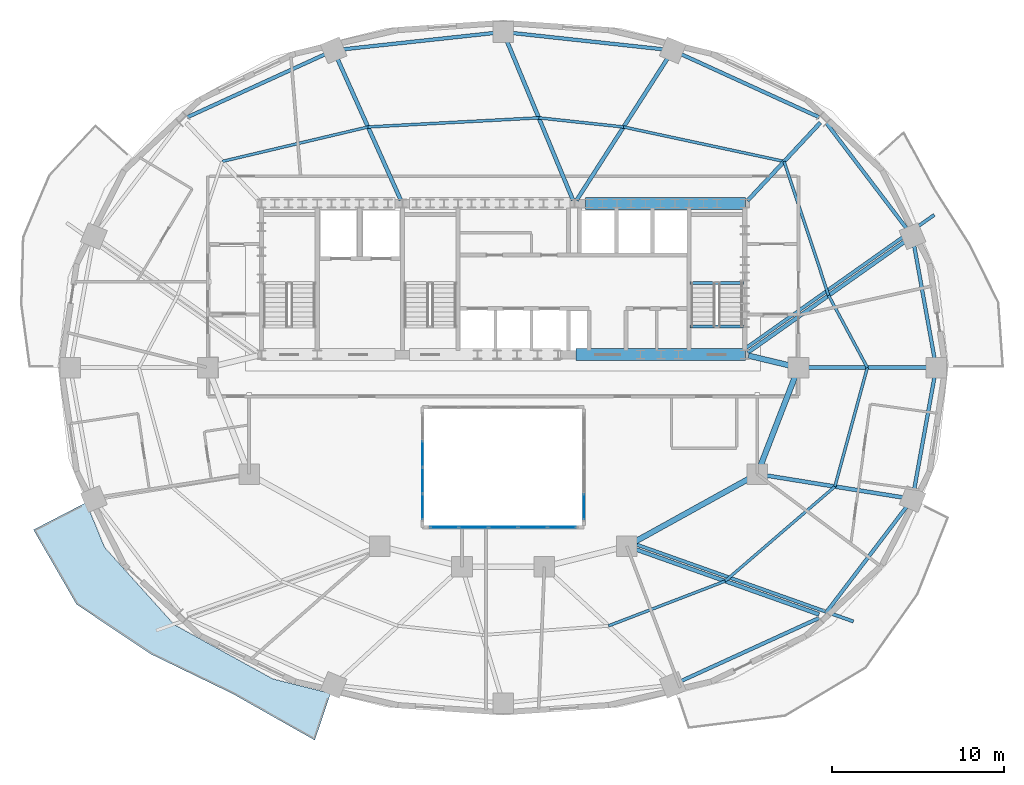
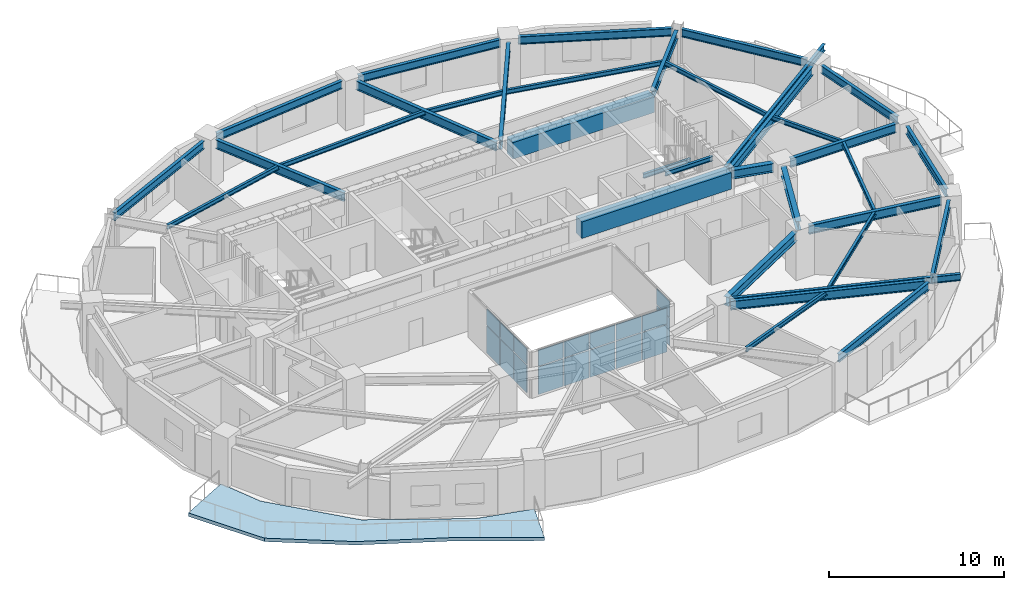
# One storey, part 4 of 12: 35 beams, 18 plates, 1 slab, 3 elements without a shape of their own.
"""IFC4 building model written with IfcOpenShell, lengths in metres."""

import ifcopenshell
import ifcopenshell.guid

model = None  # the IFC model being written
_history = None  # IfcOwnerHistory: only IFC2X3 demands one
_inside = {}  # id of a spatial element -> (the spatial element, [elements in it])
_under = {}  # id of a project, library or spatial element -> (it, [spatial elements below it])
_declared = {}  # id of a project -> (the project, [libraries it declares])
_typed = {}  # id of a type object -> (the type object, [elements of that type])
_made_of = {}  # id of a material, layer set ... -> (it, [elements and type objects made of it])


def new_model(schema):
    """Start an empty IFC model of exactly this schema.

    Asked for "IFC4X3", IfcOpenShell would pick the latest addendum, in which some entities
    have other attributes; the version numbers below select the first issue.
    IFC2X3 requires an IfcOwnerHistory on every rooted entity: one is made here for all.
    """
    global model, _history
    if schema == "IFC4X3":
        model = ifcopenshell.file(schema_version=(4, 3, 0, 0))
    else:
        model = ifcopenshell.file(schema=schema)
    _inside.clear()
    _under.clear()
    _declared.clear()
    _typed.clear()
    _made_of.clear()
    _history = None
    if model.schema == "IFC2X3":
        org = make("IfcOrganization", Name="unknown")
        user = make(
            "IfcPersonAndOrganization",
            ThePerson=make("IfcPerson", FamilyName="unknown"),
            TheOrganization=org,
        )
        app = make(
            "IfcApplication",
            ApplicationDeveloper=org,
            Version="unknown",
            ApplicationFullName="unknown",
            ApplicationIdentifier="unknown",
        )
        _history = make(
            "IfcOwnerHistory",
            OwningUser=user,
            OwningApplication=app,
            ChangeAction="ADDED",
            CreationDate=0,
        )
    return model


def make(cls, **values):
    """One entity of the class cls with the attributes given. An attribute that is None is left unset."""
    return model.create_entity(
        cls, **{name: value for name, value in values.items() if value is not None}
    )


def rooted(cls, **values):
    """An entity with a GlobalId (a new one), such as an element, a storey or a relation."""
    return make(cls, GlobalId=ifcopenshell.guid.new(), OwnerHistory=_history, **values)


def si_unit(unit_type, name, prefix=None):
    """IfcSIUnit, for example si_unit("LENGTHUNIT", "METRE", prefix="MILLI")."""
    return make("IfcSIUnit", UnitType=unit_type, Prefix=prefix, Name=name)


def assignment(units):
    """IfcUnitAssignment: the units of a project."""
    return None if units is None else make("IfcUnitAssignment", Units=units)


def point(xyz):
    """IfcCartesianPoint."""
    return None if xyz is None else make("IfcCartesianPoint", Coordinates=xyz)


def direction(xyz):
    """IfcDirection."""
    return None if xyz is None else make("IfcDirection", DirectionRatios=xyz)


def frame(location, z_axis=None, x_axis=None):
    """IfcAxis2Placement3D, a coordinate frame: its origin and axes. An axis left out is left unset."""
    return make(
        "IfcAxis2Placement3D",
        Location=point(location),
        Axis=direction(z_axis),
        RefDirection=direction(x_axis),
    )


def frame_2d(location, x_axis=None):
    """IfcAxis2Placement2D, a coordinate frame in the plane: its origin and x axis."""
    return make(
        "IfcAxis2Placement2D", Location=point(location), RefDirection=direction(x_axis)
    )


def origin():
    """The frame at (0, 0, 0) with its axes left unset."""
    return frame((0.0, 0.0, 0.0))


def origin_2d():
    """The frame at (0, 0) in the plane with its x axis left unset."""
    return frame_2d((0.0, 0.0))


def place(relative_to, where):
    """IfcLocalPlacement: puts the frame where relative to a parent placement (None: the world)."""
    return make(
        "IfcLocalPlacement", PlacementRelTo=relative_to, RelativePlacement=where
    )


def context(
    kind, dimensions, precision=None, world=None, true_north=None, identifier=None
):
    """IfcGeometricRepresentationContext, for example the 3D "Model" context."""
    return make(
        "IfcGeometricRepresentationContext",
        ContextIdentifier=identifier,
        ContextType=kind,
        CoordinateSpaceDimension=dimensions,
        Precision=precision,
        WorldCoordinateSystem=world,
        TrueNorth=true_north,
    )


def subcontext(parent, identifier, kind, view, scale=None):
    """IfcGeometricRepresentationSubContext, for example "Body" below "Model"."""
    return make(
        "IfcGeometricRepresentationSubContext",
        ContextIdentifier=identifier,
        ContextType=kind,
        ParentContext=parent,
        TargetScale=scale,
        TargetView=view,
    )


def project(units=None, contexts=None):
    """IfcProject with its units and contexts."""
    return rooted(
        "IfcProject",
        Name="project",
        RepresentationContexts=contexts,
        UnitsInContext=assignment(units),
    )


def spatial(cls, under=None, at=None, **own):
    """A site, building, storey or space (cls), placed at a placement, below another one or the project."""
    s = rooted(cls, ObjectPlacement=at, **own)
    if under is not None:
        _under.setdefault(under.id(), (under, []))[1].append(s)
    return s


def polyline(points):
    """IfcPolyline through the points."""
    return make("IfcPolyline", Points=[point(p) for p in points])


def profile(cls, at=None, kind="AREA", **sizes):
    """A parametric profile (cls). Its sizes go by their IFC names, for example OverallWidth=200.0."""
    return make(cls, ProfileType=kind, Position=at, **sizes)


def rectangle(**sizes):
    """IfcRectangleProfileDef."""
    return profile("IfcRectangleProfileDef", **sizes)


def i_section(**sizes):
    """IfcIShapeProfileDef."""
    return profile("IfcIShapeProfileDef", **sizes)


def outline(outer, holes=None, kind="AREA"):
    """IfcArbitraryClosedProfileDef: a profile drawn as a closed curve; with holes, ...WithVoids."""
    if holes is None:
        return make("IfcArbitraryClosedProfileDef", ProfileType=kind, OuterCurve=outer)
    return make(
        "IfcArbitraryProfileDefWithVoids",
        ProfileType=kind,
        OuterCurve=outer,
        InnerCurves=holes,
    )


def extrude(swept, where, along, depth):
    """IfcExtrudedAreaSolid: the profile swept, set in the frame where, extruded along a direction by depth."""
    return make(
        "IfcExtrudedAreaSolid",
        SweptArea=swept,
        Position=where,
        ExtrudedDirection=direction(along),
        Depth=depth,
    )


def shape(context_of_items, identifier, shape_type, items):
    """IfcShapeRepresentation: the items that make up one representation, for example the "Body"."""
    return make(
        "IfcShapeRepresentation",
        ContextOfItems=context_of_items,
        RepresentationIdentifier=identifier,
        RepresentationType=shape_type,
        Items=items,
    )


def material(Name=None, Category=None):
    """IfcMaterial."""
    return make("IfcMaterial", Name=Name, Category=Category)


def layer(
    of_material, thickness, ventilated=None, Name=None, Category=None, Priority=None
):
    """IfcMaterialLayer: one layer of a wall or slab, of a material (None: an air gap)."""
    return make(
        "IfcMaterialLayer",
        Material=of_material,
        LayerThickness=thickness,
        IsVentilated=ventilated,
        Name=Name,
        Category=Category,
        Priority=Priority,
    )


def layer_set(layers, Name=None):
    """IfcMaterialLayerSet."""
    return make("IfcMaterialLayerSet", MaterialLayers=layers, LayerSetName=Name)


def material_profile(
    of_material, cross_section, Name=None, Category=None, Priority=None
):
    """IfcMaterialProfile: a cross section and its material."""
    return make(
        "IfcMaterialProfile",
        Name=Name,
        Material=of_material,
        Profile=cross_section,
        Priority=Priority,
        Category=Category,
    )


def profile_set(profiles, Name=None, composite=None):
    """IfcMaterialProfileSet."""
    return make(
        "IfcMaterialProfileSet",
        Name=Name,
        MaterialProfiles=profiles,
        CompositeProfile=composite,
    )


def made_of(thing, what):
    """Note that an element or type object is made of a material, layer set ...; save() writes the relation."""
    if what is not None:
        _made_of.setdefault(what.id(), (what, []))[1].append(thing)
    return thing


def type_object(cls, material=None, **own):
    """A type object (cls), such as IfcWallType, which elements share."""
    return made_of(rooted(cls, **own), material)


def element(
    cls,
    number,
    at=None,
    inside=None,
    cuts=None,
    type_object=None,
    material=None,
    context=None,
    identifier="Body",
    shape_type=None,
    held_by="IfcProductDefinitionShape",
    body=None,
    shapes=None,
    **own,
):
    """One element of the class cls, such as IfcWall. Its Tag is "e" and its number.

    at: its placement. inside: the storey or other place that contains it. cuts: it is an
    opening in that element (IfcRelVoidsElement). A single representation is given by context,
    identifier, shape_type and body (its items); several are given by shapes. held_by: the class
    of the entity that holds the representations. save() writes the other relations.
    """
    e = rooted(cls, Tag="e%d" % number, ObjectPlacement=at, **own)
    if body is not None:
        shapes = [shape(context, identifier, shape_type, body)]
    if shapes is not None:
        e.Representation = make(held_by, Representations=shapes)
    if inside is not None:
        _inside.setdefault(inside.id(), (inside, []))[1].append(e)
    if cuts is not None:
        rooted(
            "IfcRelVoidsElement", RelatingBuildingElement=cuts, RelatedOpeningElement=e
        )
    if type_object is not None:
        _typed.setdefault(type_object.id(), (type_object, []))[1].append(e)
    return made_of(e, material)


def aggregate(whole, parts):
    """IfcRelAggregates: a whole, such as a stair, and the parts it consists of."""
    return rooted("IfcRelAggregates", RelatingObject=whole, RelatedObjects=parts)


def save(model, path):
    """Write the relations noted so far, then the file.

    IfcRelAggregates (storeys below a building ...), IfcRelContainedInSpatialStructure (elements
    in a storey), IfcRelDefinesByType, IfcRelAssociatesMaterial and IfcRelDeclares: one each for
    every whole, place, type object, material and project.
    """
    for whole, parts in _under.values():
        aggregate(whole, parts)
    for where, things in _inside.values():
        rooted(
            "IfcRelContainedInSpatialStructure",
            RelatedElements=things,
            RelatingStructure=where,
        )
    for kind, things in _typed.values():
        rooted("IfcRelDefinesByType", RelatedObjects=things, RelatingType=kind)
    for what, things in _made_of.values():
        rooted("IfcRelAssociatesMaterial", RelatedObjects=things, RelatingMaterial=what)
    for by, libraries in _declared.values():
        rooted("IfcRelDeclares", RelatingContext=by, RelatedDefinitions=libraries)
    model.write(path)


model = new_model("IFC4")

# Units and contexts
model_context = context("Model", 3, precision=1e-05, world=origin(), true_north=direction((0.0, 1.0)))
body_context = subcontext(model_context, "Body", "Model", "MODEL_VIEW")
ifc_project = project(units=[si_unit("LENGTHUNIT", "METRE"), si_unit("AREAUNIT", "SQUARE_METRE"), si_unit("VOLUMEUNIT", "CUBIC_METRE"), si_unit("PLANEANGLEUNIT", "RADIAN"), si_unit("MASSUNIT", "GRAM", prefix="KILO")], contexts=[model_context])

# Site, building, storey
site_placement = place(None, origin())
site = spatial("IfcSite", under=ifc_project, at=site_placement, CompositionType="ELEMENT")
building_placement = place(site_placement, origin())
building = spatial("IfcBuilding", under=site, at=building_placement, Name="Haldorwick Loom Tower", CompositionType="ELEMENT")
storey_placement = place(building_placement, frame((0.0, 0.0, 154.449951171875)))
storey = spatial("IfcBuildingStorey", under=building, at=storey_placement, Name="L41", CompositionType="ELEMENT", Elevation=154.449951171875)

# Beams
ifc_material_1 = material(Name="Steel CSA G40.21 350W", Category="steel")
ifc_material_profile_1 = material_profile(ifc_material_1, i_section(OverallWidth=0.193115234375, OverallDepth=0.466064453125, WebThickness=0.011474609375, FlangeThickness=0.01904296875, at=origin_2d()), Name="W460X97", Category="steel")
ifc_profile_set_1 = profile_set([ifc_material_profile_1], Name="Steel CSA G40.21 350W")
beam_type_1 = type_object("IfcBeamType", Name="STR-BM-BAL460", PredefinedType="BEAM", material=ifc_profile_set_1)
beam_1_placement = place(storey_placement, frame((43.78369140625, 15.68994140625, 2.97705078125), z_axis=(0.942447955832, -0.334352883266, 0.0), x_axis=(0.334352883266, 0.942447955832, 0.0)))
element("IfcBeam", 1, at=beam_1_placement, inside=storey, type_object=beam_type_1, Name="L41 Continuous Back-Spanned Balcony Beam 1", PredefinedType="BEAM", context=body_context, shape_type="SweptSolid", body=[
    extrude(i_section(OverallWidth=0.193115234375, OverallDepth=0.466064453125, WebThickness=0.011474609375, FlangeThickness=0.01904296875, at=origin_2d()), origin(), (0.0, 0.0, 1.0), 13.385009765625),
])
beam_2_placement = place(storey_placement, frame((50.092041015625, 27.1083984375, 2.97705078125), z_axis=(0.816570288691, 0.577246016554, 0.0), x_axis=(-0.577246016554, 0.816570288691, 0.0)))
element("IfcBeam", 2, at=beam_2_placement, inside=storey, type_object=beam_type_1, Name="L41 Continuous Back-Spanned Balcony Beam 4", PredefinedType="BEAM", context=body_context, shape_type="SweptSolid", body=[
    extrude(i_section(OverallWidth=0.193115234375, OverallDepth=0.466064453125, WebThickness=0.011474609375, FlangeThickness=0.01904296875, at=origin_2d()), origin(), (0.0, 0.0, 1.0), 13.485107421875),
])
ifc_material_2 = material(Name="Concrete C60 (60 MPa)", Category="concrete")
ifc_material_profile_2 = material_profile(ifc_material_2, rectangle(XDim=0.699951171875, YDim=1.14990234375, at=origin_2d()), Name="RC700X1150", Category="concrete")
ifc_profile_set_2 = profile_set([ifc_material_profile_2], Name="Concrete C60 (60 MPa)")
beam_type_2 = type_object("IfcBeamType", Name="STR-BM-CB1150", PredefinedType="LINTEL", material=ifc_profile_set_2)
beam_3_placement = place(storey_placement, frame((40.800048828125, 35.550048828125, 2.635009765625), z_axis=(1.0, 0.0, 0.0), x_axis=(0.0, 1.0, 0.0)))
element("IfcBeam", 3, at=beam_3_placement, inside=storey, type_object=beam_type_2, Name="L41 Core Coupling Beam CB-N3", PredefinedType="LINTEL", context=body_context, shape_type="SweptSolid", body=[
    extrude(rectangle(XDim=0.699951171875, YDim=1.14990234375, at=origin_2d()), origin(), (0.0, 0.0, 1.0), 9.300048828125),
])
beam_4_placement = place(storey_placement, frame((40.25, 26.75, 2.635009765625), z_axis=(1.0, 0.0, 0.0), x_axis=(0.0, 1.0, 0.0)))
element("IfcBeam", 4, at=beam_4_placement, inside=storey, type_object=beam_type_2, Name="L41 Core Coupling Beam CB-S3", PredefinedType="LINTEL", context=body_context, shape_type="SweptSolid", body=[
    extrude(rectangle(XDim=0.699951171875, YDim=1.14990234375, at=origin_2d()), origin(), (0.0, 0.0, 1.0), 9.85009765625),
])
ifc_material_profile_3 = material_profile(ifc_material_1, i_section(OverallWidth=0.166015625, OverallDepth=0.31298828125, WebThickness=0.006591796875, FlangeThickness=0.01123046875, at=origin_2d()), Name="W310X45", Category="steel")
ifc_profile_set_3 = profile_set([ifc_material_profile_3], Name="Steel CSA G40.21 350W")
beam_type_3 = type_object("IfcBeamType", Name="STR-BM-J310", PredefinedType="JOIST", material=ifc_profile_set_3)
beam_5_placement = place(storey_placement, frame((57.20849609375, 26.0, 3.053466796875), z_axis=(-0.472930162238, 0.881099915813, 0.0), x_axis=(-0.881099915813, -0.472930162238, 0.0)))
element("IfcBeam", 5, at=beam_5_placement, inside=storey, type_object=beam_type_3, Name="L41 Mid-Bay Secondary Joist 1", PredefinedType="JOIST", context=body_context, shape_type="SweptSolid", body=[
    extrude(i_section(OverallWidth=0.166015625, OverallDepth=0.31298828125, WebThickness=0.006591796875, FlangeThickness=0.01123046875, at=origin_2d()), origin(), (0.0, 0.0, 1.0), 4.76904296875),
])
beam_6_placement = place(storey_placement, frame((54.953125, 30.201904296875, 3.053466796875), z_axis=(-0.314980632705, 0.949098098734, 0.0), x_axis=(-0.949098098734, -0.314980632705, 0.0)))
element("IfcBeam", 6, at=beam_6_placement, inside=storey, type_object=beam_type_3, Name="L41 Mid-Bay Secondary Joist 2", PredefinedType="JOIST", context=body_context, shape_type="SweptSolid", body=[
    extrude(i_section(OverallWidth=0.166015625, OverallDepth=0.31298828125, WebThickness=0.006591796875, FlangeThickness=0.01123046875, at=origin_2d()), origin(), (0.0, 0.0, 1.0), 8.223876953125),
])
beam_7_placement = place(storey_placement, frame((52.36279296875, 38.007080078125, 3.053466796875), z_axis=(-0.977737366421, 0.209832414808, 0.0), x_axis=(-0.209832414808, -0.977737366421, 0.0)))
element("IfcBeam", 7, at=beam_7_placement, inside=storey, type_object=beam_type_3, Name="L41 Mid-Bay Secondary Joist 3", PredefinedType="JOIST", context=body_context, shape_type="SweptSolid", body=[
    extrude(i_section(OverallWidth=0.166015625, OverallDepth=0.31298828125, WebThickness=0.006591796875, FlangeThickness=0.01123046875, at=origin_2d()), origin(), (0.0, 0.0, 1.0), 9.56396484375),
])
beam_8_placement = place(storey_placement, frame((43.01171875, 40.013916015625, 3.053466796875), z_axis=(-0.994212584227, 0.107430616514, 0.0), x_axis=(-0.107430616514, -0.994212584227, 0.0)))
element("IfcBeam", 8, at=beam_8_placement, inside=storey, type_object=beam_type_3, Name="L41 Mid-Bay Secondary Joist 4", PredefinedType="JOIST", context=body_context, shape_type="SweptSolid", body=[
    extrude(i_section(OverallWidth=0.166015625, OverallDepth=0.31298828125, WebThickness=0.006591796875, FlangeThickness=0.01123046875, at=origin_2d()), origin(), (0.0, 0.0, 1.0), 4.965576171875),
])
beam_9_placement = place(storey_placement, frame((38.074951171875, 40.54736328125, 3.053466796875), z_axis=(-0.998564927415, -0.053554511828, 0.0), x_axis=(0.053554511828, -0.998564927415, 0.0)))
element("IfcBeam", 9, at=beam_9_placement, inside=storey, type_object=beam_type_3, Name="L41 Mid-Bay Secondary Joist 5", PredefinedType="JOIST", context=body_context, shape_type="SweptSolid", body=[
    extrude(i_section(OverallWidth=0.166015625, OverallDepth=0.31298828125, WebThickness=0.006591796875, FlangeThickness=0.01123046875, at=origin_2d()), origin(), (0.0, 0.0, 1.0), 9.9609375),
])
beam_10_placement = place(storey_placement, frame((28.12841796875, 40.013916015625, 3.053466796875), z_axis=(-0.973189168086, -0.230006180612, 0.0), x_axis=(0.230006180612, -0.973189168086, 0.0)))
element("IfcBeam", 10, at=beam_10_placement, inside=storey, type_object=beam_type_3, Name="L41 Mid-Bay Secondary Joist 6", PredefinedType="JOIST", context=body_context, shape_type="SweptSolid", body=[
    extrude(i_section(OverallWidth=0.166015625, OverallDepth=0.31298828125, WebThickness=0.006591796875, FlangeThickness=0.01123046875, at=origin_2d()), origin(), (0.0, 0.0, 1.0), 8.72509765625),
])
beam_11_placement = place(storey_placement, frame((42.13671875, 10.961181640625, 3.053466796875), z_axis=(0.933586737031, 0.358351509609, 0.0), x_axis=(-0.358351509609, 0.933586737031, 0.0)))
element("IfcBeam", 11, at=beam_11_placement, inside=storey, type_object=beam_type_3, Name="L41 Mid-Bay Secondary Joist 14", PredefinedType="JOIST", context=body_context, shape_type="SweptSolid", body=[
    extrude(i_section(OverallWidth=0.166015625, OverallDepth=0.31298828125, WebThickness=0.006591796875, FlangeThickness=0.01123046875, at=origin_2d()), origin(), (0.0, 0.0, 1.0), 7.274169921875),
])
beam_12_placement = place(storey_placement, frame((48.927734375, 13.56787109375, 3.053466796875), z_axis=(0.75763401328, 0.652679631918, 0.0), x_axis=(-0.652679631918, 0.75763401328, 0.0)))
element("IfcBeam", 12, at=beam_12_placement, inside=storey, type_object=beam_type_3, Name="L41 Mid-Bay Secondary Joist 15", PredefinedType="JOIST", context=body_context, shape_type="SweptSolid", body=[
    extrude(i_section(OverallWidth=0.166015625, OverallDepth=0.31298828125, WebThickness=0.006591796875, FlangeThickness=0.01123046875, at=origin_2d()), origin(), (0.0, 0.0, 1.0), 8.4345703125),
])
beam_13_placement = place(storey_placement, frame((55.318115234375, 19.072998046875, 3.053466796875), z_axis=(0.263272762578, 0.964721437766, 0.0), x_axis=(-0.964721437766, 0.263272762578, 0.0)))
element("IfcBeam", 13, at=beam_13_placement, inside=storey, type_object=beam_type_3, Name="L41 Mid-Bay Secondary Joist 16", PredefinedType="JOIST", context=body_context, shape_type="SweptSolid", body=[
    extrude(i_section(OverallWidth=0.166015625, OverallDepth=0.31298828125, WebThickness=0.006591796875, FlangeThickness=0.01123046875, at=origin_2d()), origin(), (0.0, 0.0, 1.0), 7.180419921875),
])
ifc_material_profile_4 = material_profile(ifc_material_1, i_section(OverallWidth=0.2119140625, OverallDepth=0.5439453125, WebThickness=0.01318359375, FlangeThickness=0.021240234375, at=origin_2d()), Name="W530X123", Category="steel")
ifc_profile_set_4 = profile_set([ifc_material_profile_4], Name="Steel CSA G40.21 350W")
beam_type_4 = type_object("IfcBeamType", Name="STR-BM-SP530", PredefinedType="SPANDREL", material=ifc_profile_set_4)
beam_14_placement = place(storey_placement, frame((61.124755859375, 26.51171875, 2.93798828125), z_axis=(-0.177558730702, 0.984110205796, 0.0), x_axis=(-0.984110205796, -0.177558730702, 0.0)))
element("IfcBeam", 14, at=beam_14_placement, inside=storey, type_object=beam_type_4, Name="L41 Perimeter Spandrel 1", PredefinedType="SPANDREL", context=body_context, shape_type="SweptSolid", body=[
    extrude(i_section(OverallWidth=0.2119140625, OverallDepth=0.5439453125, WebThickness=0.01318359375, FlangeThickness=0.021240234375, at=origin_2d()), origin(), (0.0, 0.0, 1.0), 6.737548828125),
])
beam_15_placement = place(storey_placement, frame((59.521240234375, 34.067626953125, 2.93798828125), z_axis=(-0.605421356486, 0.795905133236, 0.0), x_axis=(-0.795905133236, -0.605421356486, 0.0)))
element("IfcBeam", 15, at=beam_15_placement, inside=storey, type_object=beam_type_4, Name="L41 Perimeter Spandrel 2", PredefinedType="SPANDREL", context=body_context, shape_type="SweptSolid", body=[
    extrude(i_section(OverallWidth=0.2119140625, OverallDepth=0.5439453125, WebThickness=0.01318359375, FlangeThickness=0.021240234375, at=origin_2d()), origin(), (0.0, 0.0, 1.0), 7.761962890625),
])
beam_16_placement = place(storey_placement, frame((54.405517578125, 40.57861328125, 2.93798828125), z_axis=(-0.909534296496, 0.415628877121, 0.0), x_axis=(-0.415628877121, -0.909534296496, 0.0)))
element("IfcBeam", 16, at=beam_16_placement, inside=storey, type_object=beam_type_4, Name="L41 Perimeter Spandrel 3", PredefinedType="SPANDREL", context=body_context, shape_type="SweptSolid", body=[
    extrude(i_section(OverallWidth=0.2119140625, OverallDepth=0.5439453125, WebThickness=0.01318359375, FlangeThickness=0.021240234375, at=origin_2d()), origin(), (0.0, 0.0, 1.0), 8.86083984375),
])
for number, where, z_axis, x_axis, name in (
    (17, (45.356201171875, 44.533447265625, 2.93798828125), (-0.994210140187, 0.107453232386, 0.0), (-0.107453232386, -0.994210140187, 0.0), "L41 Perimeter Spandrel 4"),
    (18, (35.48291015625, 45.48876953125, 2.93798828125), (-0.994210140187, -0.107453232386, 0.0), (0.107453232386, -0.994210140187, 0.0), "L41 Perimeter Spandrel 5"),
):
    element("IfcBeam", number, at=place(storey_placement, frame(where, z_axis=z_axis, x_axis=x_axis)), inside=storey, type_object=beam_type_4, Name=name, PredefinedType="SPANDREL", context=body_context, shape_type="SweptSolid", body=[
        extrude(i_section(OverallWidth=0.2119140625, OverallDepth=0.5439453125, WebThickness=0.01318359375, FlangeThickness=0.021240234375, at=origin_2d()), origin(), (0.0, 0.0, 1.0), 8.890625),
    ])
for number, where, z_axis, x_axis, name in (
    (19, (25.65380859375, 44.261474609375, 2.93798828125), (-0.909534296496, -0.415628877121, 0.0), (0.415628877121, -0.909534296496, 0.0), "L41 Perimeter Spandrel 6"),
    (20, (46.34619140625, 7.738525390625, 2.93798828125), (0.909534296496, 0.415628877121, 0.0), (-0.415628877121, 0.909534296496, 0.0), "L41 Perimeter Spandrel 14"),
):
    element("IfcBeam", number, at=place(storey_placement, frame(where, z_axis=z_axis, x_axis=x_axis)), inside=storey, type_object=beam_type_4, Name=name, PredefinedType="SPANDREL", context=body_context, shape_type="SweptSolid", body=[
        extrude(i_section(OverallWidth=0.2119140625, OverallDepth=0.5439453125, WebThickness=0.01318359375, FlangeThickness=0.021240234375, at=origin_2d()), origin(), (0.0, 0.0, 1.0), 8.86083984375),
    ])
beam_17_placement = place(storey_placement, frame((54.822021484375, 11.754638671875, 2.93798828125), z_axis=(0.605421356486, 0.795905133236, 0.0), x_axis=(-0.795905133236, 0.605421356486, 0.0)))
element("IfcBeam", 21, at=beam_17_placement, inside=storey, type_object=beam_type_4, Name="L41 Perimeter Spandrel 15", PredefinedType="SPANDREL", context=body_context, shape_type="SweptSolid", body=[
    extrude(i_section(OverallWidth=0.2119140625, OverallDepth=0.5439453125, WebThickness=0.01318359375, FlangeThickness=0.021240234375, at=origin_2d()), origin(), (0.0, 0.0, 1.0), 7.761962890625),
])
beam_18_placement = place(storey_placement, frame((59.928466796875, 18.85791015625, 2.93798828125), z_axis=(0.177558730702, 0.984110205796, 0.0), x_axis=(-0.984110205796, 0.177558730702, 0.0)))
element("IfcBeam", 22, at=beam_18_placement, inside=storey, type_object=beam_type_4, Name="L41 Perimeter Spandrel 16", PredefinedType="SPANDREL", context=body_context, shape_type="SweptSolid", body=[
    extrude(i_section(OverallWidth=0.2119140625, OverallDepth=0.5439453125, WebThickness=0.01318359375, FlangeThickness=0.021240234375, at=origin_2d()), origin(), (0.0, 0.0, 1.0), 6.737548828125),
])
ifc_material_profile_5 = material_profile(ifc_material_1, i_section(OverallWidth=0.166015625, OverallDepth=0.31298828125, WebThickness=0.006591796875, FlangeThickness=0.01123046875, at=origin_2d()), Name="W310X45", Category="steel")
ifc_profile_set_5 = profile_set([ifc_material_profile_5], Name="Steel CSA G40.21 350W")
beam_type_5 = type_object("IfcBeamType", Name="STR-BM-STRM", PredefinedType="BEAM", material=ifc_profile_set_5)
for number, where, z_axis, x_axis, name in (
    (23, (46.889892578125, 28.39990234375, 3.053466796875), (1.0, 0.0, 0.0), (0.0, 1.0, 0.0), "L41 Stair ST-02 Landing Edge Trimmer"),
    (24, (46.889892578125, 30.919921875, 1.36865234375), (1.0, 0.0, 0.0), (0.0, 1.0, 0.0), "L41 Stair ST-02 Half-Landing Trimmer 1"),
):
    element("IfcBeam", number, at=place(storey_placement, frame(where, z_axis=z_axis, x_axis=x_axis)), inside=storey, type_object=beam_type_5, Name=name, PredefinedType="BEAM", context=body_context, shape_type="SweptSolid", body=[
        extrude(i_section(OverallWidth=0.166015625, OverallDepth=0.31298828125, WebThickness=0.006591796875, FlangeThickness=0.01123046875, at=origin_2d()), origin(), (0.0, 0.0, 1.0), 3.1201171875),
    ])
ifc_material_profile_6 = material_profile(ifc_material_1, i_section(OverallWidth=0.324951171875, OverallDepth=0.615966796875, WebThickness=0.013916015625, FlangeThickness=0.021484375, at=origin_2d()), Name="W610X174", Category="steel")
ifc_profile_set_6 = profile_set([ifc_material_profile_6], Name="Steel CSA G40.21 350W")
beam_type_6 = type_object("IfcBeamType", Name="STR-BM-W610A", PredefinedType="BEAM", material=ifc_profile_set_6)
beam_19_placement = place(storey_placement, frame((50.288818359375, 26.697509765625, 2.902099609375), z_axis=(0.97247055837, -0.233025777764, 0.0), x_axis=(0.233025777764, 0.97247055837, 0.0)))
element("IfcBeam", 25, at=beam_19_placement, inside=storey, type_object=beam_type_6, Name="L41 Inner Ring Girder 1", PredefinedType="BEAM", context=body_context, shape_type="SweptSolid", body=[
    extrude(i_section(OverallWidth=0.324951171875, OverallDepth=0.615966796875, WebThickness=0.013916015625, FlangeThickness=0.021484375, at=origin_2d()), origin(), (0.0, 0.0, 1.0), 2.4736328125),
])
beam_20_placement = place(storey_placement, frame((53.01220703125, 25.51513671875, 2.902099609375), z_axis=(-0.360964792353, -0.93257944363, 0.0), x_axis=(0.93257944363, -0.360964792353, 0.0)))
element("IfcBeam", 26, at=beam_20_placement, inside=storey, type_object=beam_type_6, Name="L41 Inner Ring Girder 2", PredefinedType="BEAM", context=body_context, shape_type="SweptSolid", body=[
    extrude(i_section(OverallWidth=0.324951171875, OverallDepth=0.615966796875, WebThickness=0.013916015625, FlangeThickness=0.021484375, at=origin_2d()), origin(), (0.0, 0.0, 1.0), 5.6083984375),
])
beam_21_placement = place(storey_placement, frame((50.344970703125, 19.548583984375, 2.902099609375), z_axis=(-0.875244382146, -0.483680960471, 0.0), x_axis=(0.483680960471, -0.875244382146, 0.0)))
element("IfcBeam", 27, at=beam_21_placement, inside=storey, type_object=beam_type_6, Name="L41 Inner Ring Girder 3", PredefinedType="BEAM", context=body_context, shape_type="SweptSolid", body=[
    extrude(i_section(OverallWidth=0.324951171875, OverallDepth=0.615966796875, WebThickness=0.013916015625, FlangeThickness=0.021484375, at=origin_2d()), origin(), (0.0, 0.0, 1.0), 7.6435546875),
])
ifc_material_profile_7 = material_profile(ifc_material_1, i_section(OverallWidth=0.22998046875, OverallDepth=0.616943359375, WebThickness=0.01318359375, FlangeThickness=0.022216796875, at=origin_2d()), Name="W610X140", Category="steel")
ifc_profile_set_7 = profile_set([ifc_material_profile_7], Name="Steel CSA G40.21 350W")
beam_type_7 = type_object("IfcBeamType", Name="STR-BM-W610B", PredefinedType="BEAM", material=ifc_profile_set_7)
beam_22_placement = place(storey_placement, frame((53.719970703125, 26.0, 2.901611328125), z_axis=(1.0, 0.0, 0.0), x_axis=(0.0, 1.0, 0.0)))
element("IfcBeam", 28, at=beam_22_placement, inside=storey, type_object=beam_type_7, Name="L41 Radial Floor Girder 1", PredefinedType="BEAM", context=body_context, shape_type="SweptSolid", body=[
    extrude(i_section(OverallWidth=0.22998046875, OverallDepth=0.616943359375, WebThickness=0.01318359375, FlangeThickness=0.022216796875, at=origin_2d()), origin(), (0.0, 0.0, 1.0), 6.97705078125),
])
beam_23_placement = place(storey_placement, frame((50.253662109375, 26.8798828125, 2.901611328125), z_axis=(0.816581567299, 0.577230061542, 0.0), x_axis=(-0.577230061542, 0.816581567299, 0.0)))
element("IfcBeam", 29, at=beam_23_placement, inside=storey, type_object=beam_type_7, Name="L41 Radial Floor Girder 2", PredefinedType="BEAM", context=body_context, shape_type="SweptSolid", body=[
    extrude(i_section(OverallWidth=0.22998046875, OverallDepth=0.616943359375, WebThickness=0.01318359375, FlangeThickness=0.022216796875, at=origin_2d()), origin(), (0.0, 0.0, 1.0), 11.215087890625),
])
beam_24_placement = place(storey_placement, frame((50.223388671875, 35.714599609375, 2.901611328125), z_axis=(0.682256728841, 0.731112683484, 0.0), x_axis=(-0.731112683484, 0.682256728841, 0.0)))
element("IfcBeam", 30, at=beam_24_placement, inside=storey, type_object=beam_type_7, Name="L41 Radial Floor Girder 3", PredefinedType="BEAM", context=body_context, shape_type="SweptSolid", body=[
    extrude(i_section(OverallWidth=0.22998046875, OverallDepth=0.616943359375, WebThickness=0.01318359375, FlangeThickness=0.022216796875, at=origin_2d()), origin(), (0.0, 0.0, 1.0), 6.221435546875),
])
beam_25_placement = place(storey_placement, frame((40.271484375, 35.739501953125, 2.901611328125), z_axis=(0.53969086509, 0.841863272829, 0.0), x_axis=(-0.841863272829, 0.53969086509, 0.0)))
element("IfcBeam", 31, at=beam_25_placement, inside=storey, type_object=beam_type_7, Name="L41 Radial Floor Girder 4", PredefinedType="BEAM", context=body_context, shape_type="SweptSolid", body=[
    extrude(i_section(OverallWidth=0.22998046875, OverallDepth=0.616943359375, WebThickness=0.01318359375, FlangeThickness=0.022216796875, at=origin_2d()), origin(), (0.0, 0.0, 1.0), 9.859375),
])
beam_26_placement = place(storey_placement, frame((40.063720703125, 35.7578125, 2.901611328125), z_axis=(-0.383472813848, 0.923552164764, 0.0), x_axis=(-0.923552164764, -0.383472813848, 0.0)))
element("IfcBeam", 32, at=beam_26_placement, inside=storey, type_object=beam_type_7, Name="L41 Radial Floor Girder 5", PredefinedType="BEAM", context=body_context, shape_type="SweptSolid", body=[
    extrude(i_section(OverallWidth=0.22998046875, OverallDepth=0.616943359375, WebThickness=0.01318359375, FlangeThickness=0.022216796875, at=origin_2d()), origin(), (0.0, 0.0, 1.0), 10.076904296875),
])
beam_27_placement = place(storey_placement, frame((30.037841796875, 35.75537109375, 2.901611328125), z_axis=(-0.409143536778, 0.912470035844, 0.0), x_axis=(-0.912470035844, -0.409143536778, 0.0)))
element("IfcBeam", 33, at=beam_27_placement, inside=storey, type_object=beam_type_7, Name="L41 Radial Floor Girder 6", PredefinedType="BEAM", context=body_context, shape_type="SweptSolid", body=[
    extrude(i_section(OverallWidth=0.22998046875, OverallDepth=0.616943359375, WebThickness=0.01318359375, FlangeThickness=0.022216796875, at=origin_2d()), origin(), (0.0, 0.0, 1.0), 9.0390625),
])
beam_28_placement = place(storey_placement, frame((43.690185546875, 15.426025390625, 2.901611328125), z_axis=(0.9424463153, -0.334357507433, 0.0), x_axis=(0.334357507433, 0.9424463153, 0.0)))
element("IfcBeam", 34, at=beam_28_placement, inside=storey, type_object=beam_type_7, Name="L41 Radial Floor Girder 15", PredefinedType="BEAM", context=body_context, shape_type="SweptSolid", body=[
    extrude(i_section(OverallWidth=0.22998046875, OverallDepth=0.616943359375, WebThickness=0.01318359375, FlangeThickness=0.022216796875, at=origin_2d()), origin(), (0.0, 0.0, 1.0), 11.360107421875),
])
beam_29_placement = place(storey_placement, frame((51.3134765625, 19.71728515625, 2.901611328125), z_axis=(0.987308639475, -0.158813256432, 0.0), x_axis=(0.158813256432, 0.987308639475, 0.0)))
element("IfcBeam", 35, at=beam_29_placement, inside=storey, type_object=beam_type_7, Name="L41 Radial Floor Girder 16", PredefinedType="BEAM", context=body_context, shape_type="SweptSolid", body=[
    extrude(i_section(OverallWidth=0.22998046875, OverallDepth=0.616943359375, WebThickness=0.01318359375, FlangeThickness=0.022216796875, at=origin_2d()), origin(), (0.0, 0.0, 1.0), 8.1123046875),
])

# Curtain wall, plates
ifc_material_3 = material(Name="Thermally Broken Anodized Aluminium Curtain Wall Framing", Category="aluminium")
curtain_wall_type = type_object("IfcCurtainWallType", Name="ARC-CW-03", PredefinedType="NOTDEFINED", material=ifc_material_3)
curtain_wall_1_placement = place(storey_placement, origin())
curtain_wall_1 = element("IfcCurtainWall", 36, at=curtain_wall_1_placement, inside=storey, type_object=curtain_wall_type, Name="L41 Atrium Glazed Screen S", PredefinedType="NOTDEFINED")
ifc_material_4 = material(Name="Triple-Glazed Low-E Argon Insulated Glazing Unit", Category="glass")
ifc_layer_1 = layer(ifc_material_4, 0.04296875, Name="Triple-Glazed Low-E Argon Insulated Glazing Unit", Category="glass")
ifc_layer_set_1 = layer_set([ifc_layer_1], Name="Triple-Glazed Low-E Argon Insulated Glazing Unit")
plate_type = type_object("IfcPlateType", Name="ARC-CWP-03", PredefinedType="CURTAIN_PANEL", material=ifc_layer_set_1)
plate_1_placement = place(storey_placement, frame((39.423583984375, 16.699951171875, 0.066162109375), z_axis=(0.0, 0.0, 1.0), x_axis=(-1.0, 0.0, 0.0)))
plate_1 = element("IfcPlate", 37, at=plate_1_placement, type_object=plate_type, Name="CW-03 panel 1.1", PredefinedType="CURTAIN_PANEL", context=body_context, shape_type="SweptSolid", body=[
    extrude(rectangle(XDim=1.62109375, YDim=0.04296875, at=origin_2d()), origin(), (0.0, 0.0, 1.0), 1.90087890625),
])
plate_2_placement = place(storey_placement, frame((39.423583984375, 16.699951171875, 2.033203125), z_axis=(0.0, 0.0, 1.0), x_axis=(-1.0, 0.0, 0.0)))
plate_2 = element("IfcPlate", 38, at=plate_2_placement, type_object=plate_type, Name="CW-03 panel 1.2", PredefinedType="CURTAIN_PANEL", context=body_context, shape_type="SweptSolid", body=[
    extrude(rectangle(XDim=1.62109375, YDim=0.04296875, at=origin_2d()), origin(), (0.0, 0.0, 1.0), 1.111083984375),
])
plate_3_placement = place(storey_placement, frame((37.719970703125, 16.699951171875, 0.066162109375), z_axis=(0.0, 0.0, 1.0), x_axis=(-1.0, 0.0, 0.0)))
plate_3 = element("IfcPlate", 39, at=plate_3_placement, type_object=plate_type, Name="CW-03 panel 2.1", PredefinedType="CURTAIN_PANEL", context=body_context, shape_type="SweptSolid", body=[
    extrude(rectangle(XDim=1.654052734375, YDim=0.04296875, at=origin_2d()), origin(), (0.0, 0.0, 1.0), 1.90087890625),
])
plate_4_placement = place(storey_placement, frame((37.719970703125, 16.699951171875, 2.033203125), z_axis=(0.0, 0.0, 1.0), x_axis=(-1.0, 0.0, 0.0)))
plate_4 = element("IfcPlate", 40, at=plate_4_placement, type_object=plate_type, Name="CW-03 panel 2.2", PredefinedType="CURTAIN_PANEL", context=body_context, shape_type="SweptSolid", body=[
    extrude(rectangle(XDim=1.654052734375, YDim=0.04296875, at=origin_2d()), origin(), (0.0, 0.0, 1.0), 1.111083984375),
])
plate_5_placement = place(storey_placement, frame((36.0, 16.699951171875, 0.066162109375), z_axis=(0.0, 0.0, 1.0), x_axis=(-1.0, 0.0, 0.0)))
plate_5 = element("IfcPlate", 41, at=plate_5_placement, type_object=plate_type, Name="CW-03 panel 3.1", PredefinedType="CURTAIN_PANEL", context=body_context, shape_type="SweptSolid", body=[
    extrude(rectangle(XDim=1.654052734375, YDim=0.04296875, at=origin_2d()), origin(), (0.0, 0.0, 1.0), 1.90087890625),
])
plate_6_placement = place(storey_placement, frame((36.0, 16.699951171875, 2.033203125), z_axis=(0.0, 0.0, 1.0), x_axis=(-1.0, 0.0, 0.0)))
plate_6 = element("IfcPlate", 42, at=plate_6_placement, type_object=plate_type, Name="CW-03 panel 3.2", PredefinedType="CURTAIN_PANEL", context=body_context, shape_type="SweptSolid", body=[
    extrude(rectangle(XDim=1.654052734375, YDim=0.04296875, at=origin_2d()), origin(), (0.0, 0.0, 1.0), 1.111083984375),
])
plate_7_placement = place(storey_placement, frame((34.280029296875, 16.699951171875, 0.066162109375), z_axis=(0.0, 0.0, 1.0), x_axis=(-1.0, 0.0, 0.0)))
plate_7 = element("IfcPlate", 43, at=plate_7_placement, type_object=plate_type, Name="CW-03 panel 4.1", PredefinedType="CURTAIN_PANEL", context=body_context, shape_type="SweptSolid", body=[
    extrude(rectangle(XDim=1.654052734375, YDim=0.04296875, at=origin_2d()), origin(), (0.0, 0.0, 1.0), 1.90087890625),
])
plate_8_placement = place(storey_placement, frame((34.280029296875, 16.699951171875, 2.033203125), z_axis=(0.0, 0.0, 1.0), x_axis=(-1.0, 0.0, 0.0)))
plate_8 = element("IfcPlate", 44, at=plate_8_placement, type_object=plate_type, Name="CW-03 panel 4.2", PredefinedType="CURTAIN_PANEL", context=body_context, shape_type="SweptSolid", body=[
    extrude(rectangle(XDim=1.654052734375, YDim=0.04296875, at=origin_2d()), origin(), (0.0, 0.0, 1.0), 1.111083984375),
])
plate_9_placement = place(storey_placement, frame((32.576416015625, 16.699951171875, 0.066162109375), z_axis=(0.0, 0.0, 1.0), x_axis=(-1.0, 0.0, 0.0)))
plate_9 = element("IfcPlate", 45, at=plate_9_placement, type_object=plate_type, Name="CW-03 panel 5.1", PredefinedType="CURTAIN_PANEL", context=body_context, shape_type="SweptSolid", body=[
    extrude(rectangle(XDim=1.62109375, YDim=0.04296875, at=origin_2d()), origin(), (0.0, 0.0, 1.0), 1.90087890625),
])
plate_10_placement = place(storey_placement, frame((32.576416015625, 16.699951171875, 2.033203125), z_axis=(0.0, 0.0, 1.0), x_axis=(-1.0, 0.0, 0.0)))
plate_10 = element("IfcPlate", 46, at=plate_10_placement, type_object=plate_type, Name="CW-03 panel 5.2", PredefinedType="CURTAIN_PANEL", context=body_context, shape_type="SweptSolid", body=[
    extrude(rectangle(XDim=1.62109375, YDim=0.04296875, at=origin_2d()), origin(), (0.0, 0.0, 1.0), 1.111083984375),
])
aggregate(curtain_wall_1, [plate_1, plate_2, plate_3, plate_4, plate_5, plate_6, plate_7, plate_8, plate_9, plate_10])

curtain_wall_2_placement = place(storey_placement, origin())
curtain_wall_2 = element("IfcCurtainWall", 47, at=curtain_wall_2_placement, inside=storey, type_object=curtain_wall_type, Name="L41 Atrium Glazed Screen W", PredefinedType="NOTDEFINED")
plate_11_placement = place(storey_placement, frame((31.300048828125, 17.8916015625, 0.066162109375), z_axis=(0.0, 0.0, 1.0), x_axis=(0.0, 1.0, 0.0)))
plate_11 = element("IfcPlate", 48, at=plate_11_placement, type_object=plate_type, Name="CW-03 panel 1.1", PredefinedType="CURTAIN_PANEL", context=body_context, shape_type="SweptSolid", body=[
    extrude(rectangle(XDim=1.450927734375, YDim=0.04296875, at=origin_2d()), origin(), (0.0, 0.0, 1.0), 1.90087890625),
])
plate_12_placement = place(storey_placement, frame((31.300048828125, 17.8916015625, 2.033203125), z_axis=(0.0, 0.0, 1.0), x_axis=(0.0, 1.0, 0.0)))
plate_12 = element("IfcPlate", 49, at=plate_12_placement, type_object=plate_type, Name="CW-03 panel 1.2", PredefinedType="CURTAIN_PANEL", context=body_context, shape_type="SweptSolid", body=[
    extrude(rectangle(XDim=1.450927734375, YDim=0.04296875, at=origin_2d()), origin(), (0.0, 0.0, 1.0), 1.111083984375),
])
plate_13_placement = place(storey_placement, frame((31.300048828125, 19.425048828125, 0.066162109375), z_axis=(0.0, 0.0, 1.0), x_axis=(0.0, 1.0, 0.0)))
plate_13 = element("IfcPlate", 50, at=plate_13_placement, type_object=plate_type, Name="CW-03 panel 2.1", PredefinedType="CURTAIN_PANEL", context=body_context, shape_type="SweptSolid", body=[
    extrude(rectangle(XDim=1.48388671875, YDim=0.04296875, at=origin_2d()), origin(), (0.0, 0.0, 1.0), 1.90087890625),
])
plate_14_placement = place(storey_placement, frame((31.300048828125, 19.425048828125, 2.033203125), z_axis=(0.0, 0.0, 1.0), x_axis=(0.0, 1.0, 0.0)))
plate_14 = element("IfcPlate", 51, at=plate_14_placement, type_object=plate_type, Name="CW-03 panel 2.2", PredefinedType="CURTAIN_PANEL", context=body_context, shape_type="SweptSolid", body=[
    extrude(rectangle(XDim=1.48388671875, YDim=0.04296875, at=origin_2d()), origin(), (0.0, 0.0, 1.0), 1.111083984375),
])
plate_15_placement = place(storey_placement, frame((31.300048828125, 20.97509765625, 0.066162109375), z_axis=(0.0, 0.0, 1.0), x_axis=(0.0, 1.0, 0.0)))
plate_15 = element("IfcPlate", 52, at=plate_15_placement, type_object=plate_type, Name="CW-03 panel 3.1", PredefinedType="CURTAIN_PANEL", context=body_context, shape_type="SweptSolid", body=[
    extrude(rectangle(XDim=1.48388671875, YDim=0.04296875, at=origin_2d()), origin(), (0.0, 0.0, 1.0), 1.90087890625),
])
plate_16_placement = place(storey_placement, frame((31.300048828125, 20.97509765625, 2.033203125), z_axis=(0.0, 0.0, 1.0), x_axis=(0.0, 1.0, 0.0)))
plate_16 = element("IfcPlate", 53, at=plate_16_placement, type_object=plate_type, Name="CW-03 panel 3.2", PredefinedType="CURTAIN_PANEL", context=body_context, shape_type="SweptSolid", body=[
    extrude(rectangle(XDim=1.48388671875, YDim=0.04296875, at=origin_2d()), origin(), (0.0, 0.0, 1.0), 1.111083984375),
])
aggregate(curtain_wall_2, [plate_11, plate_12, plate_13, plate_14, plate_15, plate_16])

curtain_wall_3_placement = place(storey_placement, origin())
curtain_wall_3 = element("IfcCurtainWall", 54, at=curtain_wall_3_placement, inside=storey, type_object=curtain_wall_type, Name="L41 Atrium Glazed Screen E", PredefinedType="NOTDEFINED")
plate_17_placement = place(storey_placement, frame((40.699951171875, 17.8916015625, 0.066162109375), z_axis=(0.0, 0.0, 1.0), x_axis=(0.0, -1.0, 0.0)))
plate_17 = element("IfcPlate", 55, at=plate_17_placement, type_object=plate_type, Name="CW-03 panel 4.1", PredefinedType="CURTAIN_PANEL", context=body_context, shape_type="SweptSolid", body=[
    extrude(rectangle(XDim=1.450927734375, YDim=0.04296875, at=origin_2d()), origin(), (0.0, 0.0, 1.0), 1.90087890625),
])
plate_18_placement = place(storey_placement, frame((40.699951171875, 17.8916015625, 2.033203125), z_axis=(0.0, 0.0, 1.0), x_axis=(0.0, -1.0, 0.0)))
plate_18 = element("IfcPlate", 56, at=plate_18_placement, type_object=plate_type, Name="CW-03 panel 4.2", PredefinedType="CURTAIN_PANEL", context=body_context, shape_type="SweptSolid", body=[
    extrude(rectangle(XDim=1.450927734375, YDim=0.04296875, at=origin_2d()), origin(), (0.0, 0.0, 1.0), 1.111083984375),
])
aggregate(curtain_wall_3, [plate_17, plate_18])

# Slab
ifc_material_5 = material(Name="Concrete C40 (40 MPa)", Category="concrete")
ifc_layer_2 = layer(ifc_material_5, 0.239990234375, Name="Concrete C40 (40 MPa)", Category="concrete")
ifc_layer_set_2 = layer_set([ifc_layer_2], Name="Concrete C40 (40 MPa)")
slab_type = type_object("IfcSlabType", Name="STR-SLB-BAL240", PredefinedType="FLOOR", material=ifc_layer_set_2)
slab_placement = place(storey_placement, frame((0.0, 0.0, -0.239990234375)))
element("IfcSlab", 57, at=slab_placement, inside=storey, type_object=slab_type, Name="L41 Sinusoidal Balcony Terrace BAL_SW", PredefinedType="FLOOR", context=body_context, shape_type="SweptSolid", body=[
    extrude(outline(polyline([(25.9404296875, 7.027587890625), (22.6005859375, 7.861572265625), (22.599365234375, 7.86181640625), (22.59814453125, 7.8623046875), (22.596923828125, 7.863037109375), (16.84228515625, 11.02783203125), (16.8408203125, 11.028564453125), (16.83935546875, 11.02978515625), (16.83837890625, 11.031005859375), (12.786865234375, 15.526123046875), (12.785888671875, 15.527099609375), (12.78515625, 15.528076171875), (12.78466796875, 15.529296875), (12.783935546875, 15.530517578125), (11.7158203125, 18.141357421875), (8.64599609375, 16.555908203125), (11.153564453125, 12.208251953125), (15.495849609375, 9.30810546875), (20.25439453125, 7.0), (25.0263671875, 4.302490234375), (25.9404296875, 7.027587890625)])), origin(), (0.0, 0.0, 1.0), 0.239990234375),
])

save(model, "model.ifc")
